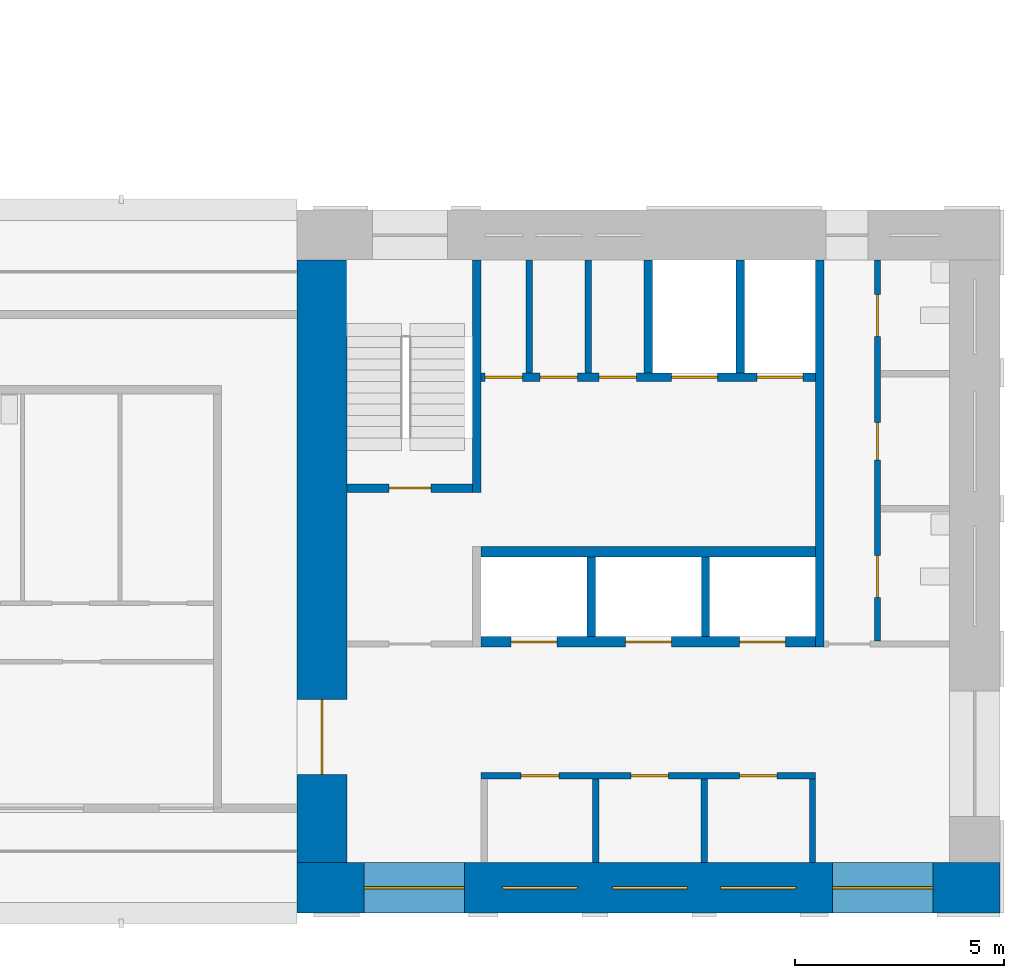
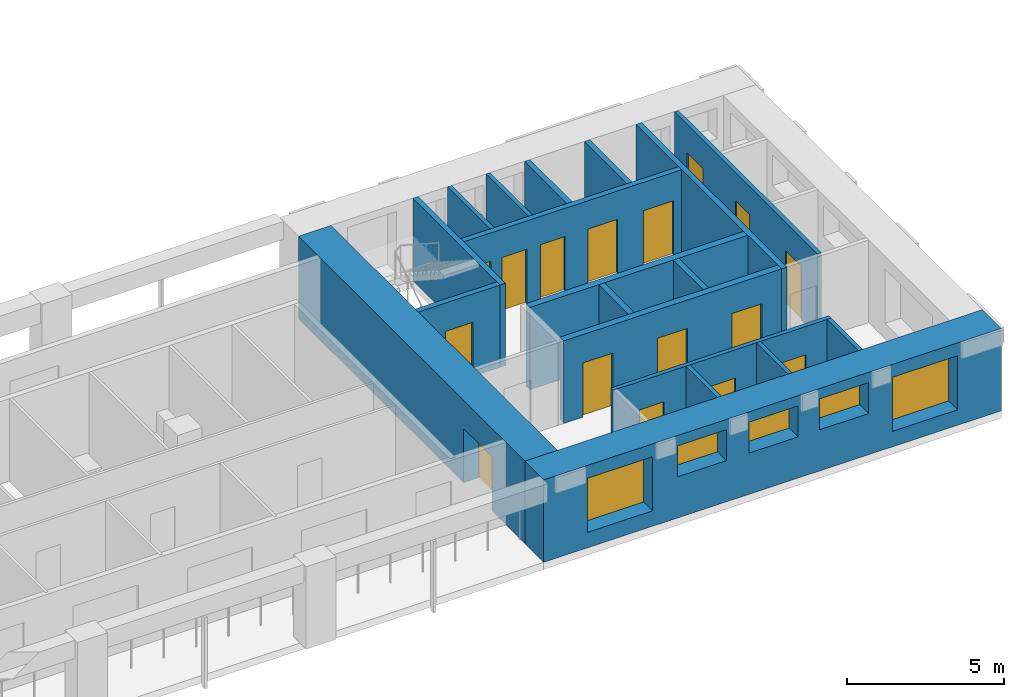
# One storey, part 4 of 10: 19 walls, 16 doors, 5 windows, 21 openings.
"""IFC4 building model written with IfcOpenShell, lengths in metres."""

import ifcopenshell
import ifcopenshell.guid

model = None  # the IFC model being written
_history = None  # IfcOwnerHistory: only IFC2X3 demands one
_inside = {}  # id of a spatial element -> (the spatial element, [elements in it])
_under = {}  # id of a project, library or spatial element -> (it, [spatial elements below it])
_declared = {}  # id of a project -> (the project, [libraries it declares])
_typed = {}  # id of a type object -> (the type object, [elements of that type])
_made_of = {}  # id of a material, layer set ... -> (it, [elements and type objects made of it])


def new_model(schema):
    """Start an empty IFC model of exactly this schema.

    Asked for "IFC4X3", IfcOpenShell would pick the latest addendum, in which some entities
    have other attributes; the version numbers below select the first issue.
    IFC2X3 requires an IfcOwnerHistory on every rooted entity: one is made here for all.
    """
    global model, _history
    if schema == "IFC4X3":
        model = ifcopenshell.file(schema_version=(4, 3, 0, 0))
    else:
        model = ifcopenshell.file(schema=schema)
    _inside.clear()
    _under.clear()
    _declared.clear()
    _typed.clear()
    _made_of.clear()
    _history = None
    if model.schema == "IFC2X3":
        org = make("IfcOrganization", Name="unknown")
        user = make(
            "IfcPersonAndOrganization",
            ThePerson=make("IfcPerson", FamilyName="unknown"),
            TheOrganization=org,
        )
        app = make(
            "IfcApplication",
            ApplicationDeveloper=org,
            Version="unknown",
            ApplicationFullName="unknown",
            ApplicationIdentifier="unknown",
        )
        _history = make(
            "IfcOwnerHistory",
            OwningUser=user,
            OwningApplication=app,
            ChangeAction="ADDED",
            CreationDate=0,
        )
    return model


def make(cls, **values):
    """One entity of the class cls with the attributes given. An attribute that is None is left unset."""
    return model.create_entity(
        cls, **{name: value for name, value in values.items() if value is not None}
    )


def rooted(cls, **values):
    """An entity with a GlobalId (a new one), such as an element, a storey or a relation."""
    return make(cls, GlobalId=ifcopenshell.guid.new(), OwnerHistory=_history, **values)


def si_unit(unit_type, name, prefix=None):
    """IfcSIUnit, for example si_unit("LENGTHUNIT", "METRE", prefix="MILLI")."""
    return make("IfcSIUnit", UnitType=unit_type, Prefix=prefix, Name=name)


def assignment(units):
    """IfcUnitAssignment: the units of a project."""
    return None if units is None else make("IfcUnitAssignment", Units=units)


def point(xyz):
    """IfcCartesianPoint."""
    return None if xyz is None else make("IfcCartesianPoint", Coordinates=xyz)


def direction(xyz):
    """IfcDirection."""
    return None if xyz is None else make("IfcDirection", DirectionRatios=xyz)


def frame(location, z_axis=None, x_axis=None):
    """IfcAxis2Placement3D, a coordinate frame: its origin and axes. An axis left out is left unset."""
    return make(
        "IfcAxis2Placement3D",
        Location=point(location),
        Axis=direction(z_axis),
        RefDirection=direction(x_axis),
    )


def frame_2d(location, x_axis=None):
    """IfcAxis2Placement2D, a coordinate frame in the plane: its origin and x axis."""
    return make(
        "IfcAxis2Placement2D", Location=point(location), RefDirection=direction(x_axis)
    )


def origin():
    """The frame at (0, 0, 0) with its axes left unset."""
    return frame((0.0, 0.0, 0.0))


def place(relative_to, where):
    """IfcLocalPlacement: puts the frame where relative to a parent placement (None: the world)."""
    return make(
        "IfcLocalPlacement", PlacementRelTo=relative_to, RelativePlacement=where
    )


def context(
    kind, dimensions, precision=None, world=None, true_north=None, identifier=None
):
    """IfcGeometricRepresentationContext, for example the 3D "Model" context."""
    return make(
        "IfcGeometricRepresentationContext",
        ContextIdentifier=identifier,
        ContextType=kind,
        CoordinateSpaceDimension=dimensions,
        Precision=precision,
        WorldCoordinateSystem=world,
        TrueNorth=true_north,
    )


def subcontext(parent, identifier, kind, view, scale=None):
    """IfcGeometricRepresentationSubContext, for example "Body" below "Model"."""
    return make(
        "IfcGeometricRepresentationSubContext",
        ContextIdentifier=identifier,
        ContextType=kind,
        ParentContext=parent,
        TargetScale=scale,
        TargetView=view,
    )


def project(units=None, contexts=None):
    """IfcProject with its units and contexts."""
    return rooted(
        "IfcProject",
        Name="project",
        RepresentationContexts=contexts,
        UnitsInContext=assignment(units),
    )


def spatial(cls, under=None, at=None, **own):
    """A site, building, storey or space (cls), placed at a placement, below another one or the project."""
    s = rooted(cls, ObjectPlacement=at, **own)
    if under is not None:
        _under.setdefault(under.id(), (under, []))[1].append(s)
    return s


def profile(cls, at=None, kind="AREA", **sizes):
    """A parametric profile (cls). Its sizes go by their IFC names, for example OverallWidth=200.0."""
    return make(cls, ProfileType=kind, Position=at, **sizes)


def rectangle(**sizes):
    """IfcRectangleProfileDef."""
    return profile("IfcRectangleProfileDef", **sizes)


def extrude(swept, where, along, depth):
    """IfcExtrudedAreaSolid: the profile swept, set in the frame where, extruded along a direction by depth."""
    return make(
        "IfcExtrudedAreaSolid",
        SweptArea=swept,
        Position=where,
        ExtrudedDirection=direction(along),
        Depth=depth,
    )


def shape(context_of_items, identifier, shape_type, items):
    """IfcShapeRepresentation: the items that make up one representation, for example the "Body"."""
    return make(
        "IfcShapeRepresentation",
        ContextOfItems=context_of_items,
        RepresentationIdentifier=identifier,
        RepresentationType=shape_type,
        Items=items,
    )


def material(Name=None, Category=None):
    """IfcMaterial."""
    return make("IfcMaterial", Name=Name, Category=Category)


def layer(
    of_material, thickness, ventilated=None, Name=None, Category=None, Priority=None
):
    """IfcMaterialLayer: one layer of a wall or slab, of a material (None: an air gap)."""
    return make(
        "IfcMaterialLayer",
        Material=of_material,
        LayerThickness=thickness,
        IsVentilated=ventilated,
        Name=Name,
        Category=Category,
        Priority=Priority,
    )


def layer_set(layers, Name=None):
    """IfcMaterialLayerSet."""
    return make("IfcMaterialLayerSet", MaterialLayers=layers, LayerSetName=Name)


def made_of(thing, what):
    """Note that an element or type object is made of a material, layer set ...; save() writes the relation."""
    if what is not None:
        _made_of.setdefault(what.id(), (what, []))[1].append(thing)
    return thing


def type_object(cls, material=None, **own):
    """A type object (cls), such as IfcWallType, which elements share."""
    return made_of(rooted(cls, **own), material)


def element(
    cls,
    number,
    at=None,
    inside=None,
    cuts=None,
    type_object=None,
    material=None,
    context=None,
    identifier="Body",
    shape_type=None,
    held_by="IfcProductDefinitionShape",
    body=None,
    shapes=None,
    **own,
):
    """One element of the class cls, such as IfcWall. Its Tag is "e" and its number.

    at: its placement. inside: the storey or other place that contains it. cuts: it is an
    opening in that element (IfcRelVoidsElement). A single representation is given by context,
    identifier, shape_type and body (its items); several are given by shapes. held_by: the class
    of the entity that holds the representations. save() writes the other relations.
    """
    e = rooted(cls, Tag="e%d" % number, ObjectPlacement=at, **own)
    if body is not None:
        shapes = [shape(context, identifier, shape_type, body)]
    if shapes is not None:
        e.Representation = make(held_by, Representations=shapes)
    if inside is not None:
        _inside.setdefault(inside.id(), (inside, []))[1].append(e)
    if cuts is not None:
        rooted(
            "IfcRelVoidsElement", RelatingBuildingElement=cuts, RelatedOpeningElement=e
        )
    if type_object is not None:
        _typed.setdefault(type_object.id(), (type_object, []))[1].append(e)
    return made_of(e, material)


def fill(opening, filler):
    """IfcRelFillsElement: the door or window that sits in an opening."""
    return rooted(
        "IfcRelFillsElement",
        RelatingOpeningElement=opening,
        RelatedBuildingElement=filler,
    )


def aggregate(whole, parts):
    """IfcRelAggregates: a whole, such as a stair, and the parts it consists of."""
    return rooted("IfcRelAggregates", RelatingObject=whole, RelatedObjects=parts)


def save(model, path):
    """Write the relations noted so far, then the file.

    IfcRelAggregates (storeys below a building ...), IfcRelContainedInSpatialStructure (elements
    in a storey), IfcRelDefinesByType, IfcRelAssociatesMaterial and IfcRelDeclares: one each for
    every whole, place, type object, material and project.
    """
    for whole, parts in _under.values():
        aggregate(whole, parts)
    for where, things in _inside.values():
        rooted(
            "IfcRelContainedInSpatialStructure",
            RelatedElements=things,
            RelatingStructure=where,
        )
    for kind, things in _typed.values():
        rooted("IfcRelDefinesByType", RelatedObjects=things, RelatingType=kind)
    for what, things in _made_of.values():
        rooted("IfcRelAssociatesMaterial", RelatedObjects=things, RelatingMaterial=what)
    for by, libraries in _declared.values():
        rooted("IfcRelDeclares", RelatingContext=by, RelatedDefinitions=libraries)
    model.write(path)


model = new_model("IFC4")

# Units and contexts
model_context = context("Model", 3, precision=1e-05, world=origin(), true_north=direction((0.0, 1.0)))
body_context = subcontext(model_context, "Body", "Model", "MODEL_VIEW")
ifc_project = project(units=[si_unit("LENGTHUNIT", "METRE"), si_unit("AREAUNIT", "SQUARE_METRE"), si_unit("VOLUMEUNIT", "CUBIC_METRE"), si_unit("PLANEANGLEUNIT", "RADIAN"), si_unit("MASSUNIT", "GRAM", prefix="KILO")], contexts=[model_context])

# Site, building, storey
site_placement = place(None, origin())
site = spatial("IfcSite", under=ifc_project, at=site_placement, CompositionType="ELEMENT")
building_placement = place(site_placement, origin())
building = spatial("IfcBuilding", under=site, at=building_placement, Name="Vermilion Gate Residences", CompositionType="ELEMENT")
storey_placement = place(building_placement, frame((0.0, 0.0, 273.699951171875)))
storey = spatial("IfcBuildingStorey", under=building, at=storey_placement, Name="L72", CompositionType="ELEMENT", Elevation=273.699951171875)

# Walls
ifc_material_1 = material(Name="Masonry blockwork", Category="masonry")
ifc_layer_1 = layer(ifc_material_1, 0.14990234375)
ifc_layer_set_1 = layer_set([ifc_layer_1], Name="BLOCKWORK PARTITION 150 EI 120")
wall_type_1 = type_object("IfcWallType", Name="BLOCKWORK PARTITION 150 EI 120", PredefinedType="PARTITIONING", material=ifc_layer_set_1)
for number, where, z_axis, x_axis, name in (
    (1, (54.324951171875, 9.60009765625, 0.0), (0.0, 0.0, 1.0), (0.0, 1.0, 0.0), "Core room partition A72-RW-E"),
    (2, (49.14111328125, 9.60009765625, 0.0), (0.0, 0.0, 1.0), (0.0, 1.0, 0.0), "Core room partition A72-SR-P0"),
    (3, (51.73291015625, 9.60009765625, 0.0), (0.0, 0.0, 1.0), (0.0, 1.0, 0.0), "Core room partition A72-SR-P1"),
):
    element("IfcWall", number, at=place(storey_placement, frame(where, z_axis=z_axis, x_axis=x_axis)), inside=storey, type_object=wall_type_1, Name=name, PredefinedType="PARTITIONING", context=body_context, shape_type="SweptSolid", body=[
        extrude(rectangle(XDim=2.0, YDim=0.14990234375, at=frame_2d((1.0, 0.0))), origin(), (0.0, 0.0, 1.0), 3.199951171875),
    ])

# Wall, openings, doors
wall_1_placement = place(storey_placement, frame((46.39990234375, 11.675048828125, 0.0), z_axis=(0.0, 0.0, 1.0), x_axis=(1.0, 0.0, 0.0)))
wall_1 = element("IfcWall", 4, at=wall_1_placement, inside=storey, type_object=wall_type_1, Name="Core room partition A72-LR-F", PredefinedType="PARTITIONING", context=body_context, shape_type="SweptSolid", body=[
    extrude(rectangle(XDim=8.0, YDim=0.14990234375, at=frame_2d((4.0, 0.0))), origin(), (0.0, 0.0, 1.0), 3.199951171875),
])
opening_1_placement = place(wall_1_placement, frame((0.9580078125, 0.0, 0.0)))
opening_1 = element("IfcOpeningElement", 5, at=opening_1_placement, cuts=wall_1, Name="Opening DK72002", PredefinedType="OPENING", context=body_context, shape_type="SweptSolid", body=[
    extrude(rectangle(XDim=0.89990234375, YDim=2.10009765625, at=frame_2d((0.449951171875, 1.050048828125))), frame((0.0, 0.0849609375, 0.0), z_axis=(0.0, -1.0, 0.0), x_axis=(1.0, 0.0, 0.0)), (0.0, 0.0, 1.0), 0.169921875),
])
opening_2_placement = place(wall_1_placement, frame((3.5869140625, 0.0, 0.0)))
opening_2 = element("IfcOpeningElement", 6, at=opening_2_placement, cuts=wall_1, Name="Opening DK72003", PredefinedType="OPENING", context=body_context, shape_type="SweptSolid", body=[
    extrude(rectangle(XDim=0.89990234375, YDim=2.10009765625, at=frame_2d((0.449951171875, 1.050048828125))), frame((0.0, 0.0849609375, 0.0), z_axis=(0.0, -1.0, 0.0), x_axis=(1.0, 0.0, 0.0)), (0.0, 0.0, 1.0), 0.169921875),
])
opening_3_placement = place(wall_1_placement, frame((6.178955078125, 0.0, 0.0)))
opening_3 = element("IfcOpeningElement", 7, at=opening_3_placement, cuts=wall_1, Name="Opening DK72004", PredefinedType="OPENING", context=body_context, shape_type="SweptSolid", body=[
    extrude(rectangle(XDim=0.89990234375, YDim=2.10009765625, at=frame_2d((0.449951171875, 1.050048828125))), frame((0.0, 0.0849609375, 0.0), z_axis=(0.0, -1.0, 0.0), x_axis=(1.0, 0.0, 0.0)), (0.0, 0.0, 1.0), 0.169921875),
])
ifc_material_2 = material(Name="Steel", Category="steel")
door_type_1 = type_object("IfcDoorType", Name="SERVICE ROOM DOOR FD60 900 X 2100", OperationType="SINGLE_SWING_LEFT", PredefinedType="DOOR", material=ifc_material_2)
door_1_placement = place(opening_1_placement, frame((0.89990234375, 0.0, 0.0), z_axis=(0.0, 0.0, 1.0), x_axis=(-1.0, 0.0, 0.0)))
door_1 = element("IfcDoor", 8, at=door_1_placement, inside=storey, type_object=door_type_1, Name="Mail room A72", OperationType="SINGLE_SWING_RIGHT", OverallHeight=2.10009765625, OverallWidth=0.89990234375, PredefinedType="DOOR", context=body_context, shape_type="SweptSolid", body=[
    extrude(rectangle(XDim=0.89990234375, YDim=2.10009765625, at=frame_2d((0.449951171875, 1.050048828125))), frame((0.0, 0.02490234375, 0.0), z_axis=(0.0, -1.0, 0.0), x_axis=(1.0, 0.0, 0.0)), (0.0, 0.0, 1.0), 0.050048828125),
])
fill(opening_1, door_1)
door_2_placement = place(opening_2_placement, frame((0.89990234375, 0.0, 0.0), z_axis=(0.0, 0.0, 1.0), x_axis=(-1.0, 0.0, 0.0)))
door_2 = element("IfcDoor", 9, at=door_2_placement, inside=storey, type_object=door_type_1, Name="Cleaner's store A72", OperationType="SINGLE_SWING_LEFT", OverallHeight=2.10009765625, OverallWidth=0.89990234375, PredefinedType="DOOR", context=body_context, shape_type="SweptSolid", body=[
    extrude(rectangle(XDim=0.89990234375, YDim=2.10009765625, at=frame_2d((0.449951171875, 1.050048828125))), frame((0.0, 0.02490234375, 0.0), z_axis=(0.0, -1.0, 0.0), x_axis=(1.0, 0.0, 0.0)), (0.0, 0.0, 1.0), 0.050048828125),
])
fill(opening_2, door_2)
door_3_placement = place(opening_3_placement, origin())
door_3 = element("IfcDoor", 10, at=door_3_placement, inside=storey, type_object=door_type_1, Name="Electrical room A72", OperationType="SINGLE_SWING_LEFT", OverallHeight=2.10009765625, OverallWidth=0.89990234375, PredefinedType="DOOR", context=body_context, shape_type="SweptSolid", body=[
    extrude(rectangle(XDim=0.89990234375, YDim=2.10009765625, at=frame_2d((0.449951171875, 1.050048828125))), frame((0.0, 0.02490234375, 0.0), z_axis=(0.0, -1.0, 0.0), x_axis=(1.0, 0.0, 0.0)), (0.0, 0.0, 1.0), 0.050048828125),
])
fill(opening_3, door_3)

# Walls
for number, where, z_axis, x_axis, name in (
    (11, (47.554931640625, 21.300048828125, 0.0), (0.0, 0.0, 1.0), (0.0, 1.0, 0.0), "Core room partition A72-NR-P0"),
    (12, (48.965087890625, 21.300048828125, 0.0), (0.0, 0.0, 1.0), (0.0, 1.0, 0.0), "Core room partition A72-NR-P1"),
):
    element("IfcWall", number, at=place(storey_placement, frame(where, z_axis=z_axis, x_axis=x_axis)), inside=storey, type_object=wall_type_1, Name=name, PredefinedType="PARTITIONING", context=body_context, shape_type="SweptSolid", body=[
        extrude(rectangle(XDim=2.699951171875, YDim=0.14990234375, at=frame_2d((1.35009765625, 0.0))), origin(), (0.0, 0.0, 1.0), 3.199951171875),
    ])

# Wall, openings, doors
wall_2_placement = place(storey_placement, frame((55.875, 14.89990234375, 0.0), z_axis=(0.0, 0.0, 1.0), x_axis=(0.0, 1.0, 0.0)))
wall_2 = element("IfcWall", 13, at=wall_2_placement, inside=storey, type_object=wall_type_1, Name="Core room partition A72-ES-W", PredefinedType="PARTITIONING", context=body_context, shape_type="SweptSolid", body=[
    extrude(rectangle(XDim=9.10009765625, YDim=0.14990234375, at=frame_2d((4.550048828125, 0.0))), origin(), (0.0, 0.0, 1.0), 3.199951171875),
])
opening_4_placement = place(wall_2_placement, frame((1.0400390625, 0.0, 0.0)))
opening_4 = element("IfcOpeningElement", 14, at=opening_4_placement, cuts=wall_2, Name="Opening DK72016", PredefinedType="OPENING", context=body_context, shape_type="SweptSolid", body=[
    extrude(rectangle(XDim=1.0, YDim=2.10009765625, at=frame_2d((0.5, 1.050048828125))), frame((0.0, 0.0849609375, 0.0), z_axis=(0.0, -1.0, 0.0), x_axis=(1.0, 0.0, 0.0)), (0.0, 0.0, 1.0), 0.169921875),
])
opening_5_placement = place(wall_2_placement, frame((4.320068359375, 0.0, 0.0)))
opening_5 = element("IfcOpeningElement", 15, at=opening_5_placement, cuts=wall_2, Name="Opening DK72017", PredefinedType="OPENING", context=body_context, shape_type="SweptSolid", body=[
    extrude(rectangle(XDim=0.89990234375, YDim=2.10009765625, at=frame_2d((0.449951171875, 1.050048828125))), frame((0.0, 0.0849609375, 0.0), z_axis=(0.0, -1.0, 0.0), x_axis=(1.0, 0.0, 0.0)), (0.0, 0.0, 1.0), 0.169921875),
])
opening_6_placement = place(wall_2_placement, frame((7.280029296875, 0.0, 0.0)))
opening_6 = element("IfcOpeningElement", 16, at=opening_6_placement, cuts=wall_2, Name="Opening DK72018", PredefinedType="OPENING", context=body_context, shape_type="SweptSolid", body=[
    extrude(rectangle(XDim=1.0, YDim=2.10009765625, at=frame_2d((0.5, 1.050048828125))), frame((0.0, 0.0849609375, 0.0), z_axis=(0.0, -1.0, 0.0), x_axis=(1.0, 0.0, 0.0)), (0.0, 0.0, 1.0), 0.169921875),
])
ifc_material_3 = material(Name="Steel", Category="steel")
door_type_2 = type_object("IfcDoorType", Name="FIRE DOOR FD60 1000 X 2100", OperationType="SINGLE_SWING_LEFT", PredefinedType="DOOR", material=ifc_material_3)
door_4_placement = place(opening_4_placement, frame((1.0, 0.0, 0.0), z_axis=(0.0, 0.0, 1.0), x_axis=(-1.0, 0.0, 0.0)))
door_4 = element("IfcDoor", 17, at=door_4_placement, inside=storey, type_object=door_type_2, Name="Accessible WC A72", OperationType="SINGLE_SWING_LEFT", OverallHeight=2.10009765625, OverallWidth=1.0, PredefinedType="DOOR", context=body_context, shape_type="SweptSolid", body=[
    extrude(rectangle(XDim=1.0, YDim=2.10009765625, at=frame_2d((0.5, 1.050048828125))), frame((0.0, 0.02490234375, 0.0), z_axis=(0.0, -1.0, 0.0), x_axis=(1.0, 0.0, 0.0)), (0.0, 0.0, 1.0), 0.050048828125),
])
fill(opening_4, door_4)
door_5_placement = place(opening_6_placement, frame((1.0, 0.0, 0.0), z_axis=(0.0, 0.0, 1.0), x_axis=(-1.0, 0.0, 0.0)))
door_5 = element("IfcDoor", 18, at=door_5_placement, inside=storey, type_object=door_type_2, Name="Accessible WC A72", OperationType="SINGLE_SWING_RIGHT", OverallHeight=2.10009765625, OverallWidth=1.0, PredefinedType="DOOR", context=body_context, shape_type="SweptSolid", body=[
    extrude(rectangle(XDim=1.0, YDim=2.10009765625, at=frame_2d((0.5, 1.050048828125))), frame((0.0, 0.02490234375, 0.0), z_axis=(0.0, -1.0, 0.0), x_axis=(1.0, 0.0, 0.0)), (0.0, 0.0, 1.0), 0.050048828125),
])
fill(opening_6, door_5)
door_6_placement = place(opening_5_placement, frame((0.89990234375, 0.0, 0.0), z_axis=(0.0, 0.0, 1.0), x_axis=(-1.0, 0.0, 0.0)))
door_6 = element("IfcDoor", 19, at=door_6_placement, inside=storey, type_object=door_type_1, Name="Communications room A72", OperationType="SINGLE_SWING_RIGHT", OverallHeight=2.10009765625, OverallWidth=0.89990234375, PredefinedType="DOOR", context=body_context, shape_type="SweptSolid", body=[
    extrude(rectangle(XDim=0.89990234375, YDim=2.10009765625, at=frame_2d((0.449951171875, 1.050048828125))), frame((0.0, 0.02490234375, 0.0), z_axis=(0.0, -1.0, 0.0), x_axis=(1.0, 0.0, 0.0)), (0.0, 0.0, 1.0), 0.050048828125),
])
fill(opening_5, door_6)

# Walls
ifc_material_4 = material(Name="Concrete C60", Category="concrete")
ifc_layer_2 = layer(ifc_material_4, 0.199951171875)
ifc_layer_set_2 = layer_set([ifc_layer_2], Name="RC CORE INTERNAL WALL 200 C60")
wall_type_2 = type_object("IfcWallType", Name="RC CORE INTERNAL WALL 200 C60", PredefinedType="SHEAR", material=ifc_layer_set_2)
for number, where, z_axis, x_axis, name in (
    (20, (49.033447265625, 15.0, 0.0), (0.0, 0.0, 1.0), (0.0, 1.0, 0.0), "Core internal wall A72-HR-D1"),
    (21, (51.7666015625, 15.0, 0.0), (0.0, 0.0, 1.0), (0.0, 1.0, 0.0), "Core internal wall A72-HR-D2"),
):
    element("IfcWall", number, at=place(storey_placement, frame(where, z_axis=z_axis, x_axis=x_axis)), inside=storey, type_object=wall_type_2, Name=name, PredefinedType="SHEAR", context=body_context, shape_type="SweptSolid", body=[
        extrude(rectangle(XDim=1.89990234375, YDim=0.199951171875, at=frame_2d((0.949951171875, 0.0))), origin(), (0.0, 0.0, 1.0), 3.199951171875),
    ])
for number, where, z_axis, x_axis, name in (
    (22, (50.39990234375, 21.300048828125, 0.0), (0.0, 0.0, 1.0), (0.0, 1.0, 0.0), "Core internal wall A72-FF-D0"),
    (23, (52.60009765625, 21.300048828125, 0.0), (0.0, 0.0, 1.0), (0.0, 1.0, 0.0), "Core internal wall A72-FF-D1"),
):
    element("IfcWall", number, at=place(storey_placement, frame(where, z_axis=z_axis, x_axis=x_axis)), inside=storey, type_object=wall_type_2, Name=name, PredefinedType="SHEAR", context=body_context, shape_type="SweptSolid", body=[
        extrude(rectangle(XDim=2.699951171875, YDim=0.199951171875, at=frame_2d((1.35009765625, 0.0))), origin(), (0.0, 0.0, 1.0), 3.199951171875),
    ])

# Wall, openings, doors
wall_3_placement = place(storey_placement, frame((46.39990234375, 21.199951171875, 0.0), z_axis=(0.0, 0.0, 1.0), x_axis=(1.0, 0.0, 0.0)))
wall_3 = element("IfcWall", 24, at=wall_3_placement, inside=storey, type_object=wall_type_2, Name="Core internal wall A72-FF-F", PredefinedType="SHEAR", context=body_context, shape_type="SweptSolid", body=[
    extrude(rectangle(XDim=8.0, YDim=0.199951171875, at=frame_2d((4.0, 0.0))), origin(), (0.0, 0.0, 1.0), 3.199951171875),
])
opening_7_placement = place(wall_3_placement, frame((0.090087890625, 0.0, 0.0)))
opening_7 = element("IfcOpeningElement", 25, at=opening_7_placement, cuts=wall_3, Name="Opening DK72008", PredefinedType="OPENING", context=body_context, shape_type="SweptSolid", body=[
    extrude(rectangle(XDim=0.89990234375, YDim=2.10009765625, at=frame_2d((0.449951171875, 1.050048828125))), frame((0.0, 0.10986328125, 0.0), z_axis=(0.0, -1.0, 0.0), x_axis=(1.0, 0.0, 0.0)), (0.0, 0.0, 1.0), 0.219970703125),
])
opening_8_placement = place(wall_3_placement, frame((1.409912109375, 0.0, 0.0)))
opening_8 = element("IfcOpeningElement", 26, at=opening_8_placement, cuts=wall_3, Name="Opening DK72009", PredefinedType="OPENING", context=body_context, shape_type="SweptSolid", body=[
    extrude(rectangle(XDim=0.89990234375, YDim=2.10009765625, at=frame_2d((0.449951171875, 1.050048828125))), frame((0.0, 0.10986328125, 0.0), z_axis=(0.0, -1.0, 0.0), x_axis=(1.0, 0.0, 0.0)), (0.0, 0.0, 1.0), 0.219970703125),
])
opening_9_placement = place(wall_3_placement, frame((2.820068359375, 0.0, 0.0)))
opening_9 = element("IfcOpeningElement", 27, at=opening_9_placement, cuts=wall_3, Name="Opening DK72010", PredefinedType="OPENING", context=body_context, shape_type="SweptSolid", body=[
    extrude(rectangle(XDim=0.89990234375, YDim=2.10009765625, at=frame_2d((0.449951171875, 1.050048828125))), frame((0.0, 0.10986328125, 0.0), z_axis=(0.0, -1.0, 0.0), x_axis=(1.0, 0.0, 0.0)), (0.0, 0.0, 1.0), 0.219970703125),
])
opening_10_placement = place(wall_3_placement, frame((4.550048828125, 0.0, 0.0)))
opening_10 = element("IfcOpeningElement", 28, at=opening_10_placement, cuts=wall_3, Name="Opening LD", PredefinedType="OPENING", context=body_context, shape_type="SweptSolid", body=[
    extrude(rectangle(XDim=1.10009765625, YDim=2.10009765625, at=frame_2d((0.550048828125, 1.050048828125))), frame((0.0, 0.10986328125, 0.0), z_axis=(0.0, -1.0, 0.0), x_axis=(1.0, 0.0, 0.0)), (0.0, 0.0, 1.0), 0.219970703125),
])
opening_11_placement = place(wall_3_placement, frame((6.60009765625, 0.0, 0.0)))
opening_11 = element("IfcOpeningElement", 29, at=opening_11_placement, cuts=wall_3, Name="Opening LD", PredefinedType="OPENING", context=body_context, shape_type="SweptSolid", body=[
    extrude(rectangle(XDim=1.10009765625, YDim=2.10009765625, at=frame_2d((0.550048828125, 1.050048828125))), frame((0.0, 0.10986328125, 0.0), z_axis=(0.0, -1.0, 0.0), x_axis=(1.0, 0.0, 0.0)), (0.0, 0.0, 1.0), 0.219970703125),
])
ifc_material_5 = material(Name="Stainless steel", Category="steel")
door_type_3 = type_object("IfcDoorType", Name="LIFT LANDING DOOR E60 1100 X 2100", OperationType="DOUBLE_DOOR_SLIDING", PredefinedType="DOOR", material=ifc_material_5)
door_7_placement = place(opening_10_placement, origin())
door_7 = element("IfcDoor", 30, at=door_7_placement, inside=storey, type_object=door_type_3, Name="Lift landing door LFA1", OperationType="DOUBLE_DOOR_SLIDING", OverallHeight=2.10009765625, OverallWidth=1.10009765625, PredefinedType="DOOR", context=body_context, shape_type="SweptSolid", body=[
    extrude(rectangle(XDim=1.10009765625, YDim=2.10009765625, at=frame_2d((0.550048828125, 1.050048828125))), frame((0.0, 0.02490234375, 0.0), z_axis=(0.0, -1.0, 0.0), x_axis=(1.0, 0.0, 0.0)), (0.0, 0.0, 1.0), 0.050048828125),
])
fill(opening_10, door_7)
door_8_placement = place(opening_11_placement, origin())
door_8 = element("IfcDoor", 31, at=door_8_placement, inside=storey, type_object=door_type_3, Name="Lift landing door LCA1", OperationType="DOUBLE_DOOR_SLIDING", OverallHeight=2.10009765625, OverallWidth=1.10009765625, PredefinedType="DOOR", context=body_context, shape_type="SweptSolid", body=[
    extrude(rectangle(XDim=1.10009765625, YDim=2.10009765625, at=frame_2d((0.550048828125, 1.050048828125))), frame((0.0, 0.02490234375, 0.0), z_axis=(0.0, -1.0, 0.0), x_axis=(1.0, 0.0, 0.0)), (0.0, 0.0, 1.0), 0.050048828125),
])
fill(opening_11, door_8)
door_9_placement = place(opening_7_placement, origin())
door_9 = element("IfcDoor", 32, at=door_9_placement, inside=storey, type_object=door_type_1, Name="Housekeeping store A72", OperationType="SINGLE_SWING_RIGHT", OverallHeight=2.10009765625, OverallWidth=0.89990234375, PredefinedType="DOOR", context=body_context, shape_type="SweptSolid", body=[
    extrude(rectangle(XDim=0.89990234375, YDim=2.10009765625, at=frame_2d((0.449951171875, 1.050048828125))), frame((0.0, 0.02490234375, 0.0), z_axis=(0.0, -1.0, 0.0), x_axis=(1.0, 0.0, 0.0)), (0.0, 0.0, 1.0), 0.050048828125),
])
fill(opening_7, door_9)
door_10_placement = place(opening_8_placement, origin())
door_10 = element("IfcDoor", 33, at=door_10_placement, inside=storey, type_object=door_type_1, Name="Mail room A72", OperationType="SINGLE_SWING_LEFT", OverallHeight=2.10009765625, OverallWidth=0.89990234375, PredefinedType="DOOR", context=body_context, shape_type="SweptSolid", body=[
    extrude(rectangle(XDim=0.89990234375, YDim=2.10009765625, at=frame_2d((0.449951171875, 1.050048828125))), frame((0.0, 0.02490234375, 0.0), z_axis=(0.0, -1.0, 0.0), x_axis=(1.0, 0.0, 0.0)), (0.0, 0.0, 1.0), 0.050048828125),
])
fill(opening_8, door_10)
door_11_placement = place(opening_9_placement, origin())
door_11 = element("IfcDoor", 34, at=door_11_placement, inside=storey, type_object=door_type_1, Name="Electrical riser A72", OperationType="SINGLE_SWING_LEFT", OverallHeight=2.10009765625, OverallWidth=0.89990234375, PredefinedType="DOOR", context=body_context, shape_type="SweptSolid", body=[
    extrude(rectangle(XDim=0.89990234375, YDim=2.10009765625, at=frame_2d((0.449951171875, 1.050048828125))), frame((0.0, 0.02490234375, 0.0), z_axis=(0.0, -1.0, 0.0), x_axis=(1.0, 0.0, 0.0)), (0.0, 0.0, 1.0), 0.050048828125),
])
fill(opening_9, door_11)

# Wall
wall_4_placement = place(storey_placement, frame((46.300048828125, 18.449951171875, 0.0), z_axis=(0.0, 0.0, 1.0), x_axis=(0.0, 1.0, 0.0)))
element("IfcWall", 35, at=wall_4_placement, inside=storey, type_object=wall_type_2, Name="Core internal wall A72-WDIV2", PredefinedType="SHEAR", context=body_context, shape_type="SweptSolid", body=[
    extrude(rectangle(XDim=5.550048828125, YDim=0.199951171875, at=frame_2d((2.77490234375, 0.0))), origin(), (0.0, 0.0, 1.0), 3.199951171875),
])

# Wall, opening, door
wall_5_placement = place(storey_placement, frame((43.199951171875, 18.550048828125, 0.0), z_axis=(0.0, 0.0, 1.0), x_axis=(1.0, 0.0, 0.0)))
wall_5 = element("IfcWall", 36, at=wall_5_placement, inside=storey, type_object=wall_type_2, Name="Core internal wall A72-STW-S", PredefinedType="SHEAR", context=body_context, shape_type="SweptSolid", body=[
    extrude(rectangle(XDim=3.0, YDim=0.199951171875, at=frame_2d((1.5, 0.0))), origin(), (0.0, 0.0, 1.0), 3.199951171875),
])
opening_12_placement = place(wall_5_placement, frame((1.0, 0.0, 0.0)))
opening_12 = element("IfcOpeningElement", 37, at=opening_12_placement, cuts=wall_5, Name="Opening DK72014", PredefinedType="OPENING", context=body_context, shape_type="SweptSolid", body=[
    extrude(rectangle(XDim=1.0, YDim=2.10009765625, at=frame_2d((0.5, 1.050048828125))), frame((0.0, 0.10986328125, 0.0), z_axis=(0.0, -1.0, 0.0), x_axis=(1.0, 0.0, 0.0)), (0.0, 0.0, 1.0), 0.219970703125),
])
door_12_placement = place(opening_12_placement, origin())
door_12 = element("IfcDoor", 38, at=door_12_placement, inside=storey, type_object=door_type_2, Name="Stair door A72", OperationType="SINGLE_SWING_LEFT", OverallHeight=2.10009765625, OverallWidth=1.0, PredefinedType="DOOR", context=body_context, shape_type="SweptSolid", body=[
    extrude(rectangle(XDim=1.0, YDim=2.10009765625, at=frame_2d((0.5, 1.050048828125))), frame((0.0, 0.02490234375, 0.0), z_axis=(0.0, -1.0, 0.0), x_axis=(1.0, 0.0, 0.0)), (0.0, 0.0, 1.0), 0.050048828125),
])
fill(opening_12, door_12)

# Wall
wall_6_placement = place(storey_placement, frame((54.5, 14.75, 0.0), z_axis=(0.0, 0.0, 1.0), x_axis=(0.0, 1.0, 0.0)))
element("IfcWall", 39, at=wall_6_placement, inside=storey, type_object=wall_type_2, Name="Core internal wall A72-EDIV", PredefinedType="SHEAR", context=body_context, shape_type="SweptSolid", body=[
    extrude(rectangle(XDim=9.25, YDim=0.199951171875, at=frame_2d((4.625, 0.0))), origin(), (0.0, 0.0, 1.0), 3.199951171875),
])

# Wall, opening, door
ifc_material_6 = material(Name="Concrete C50", Category="concrete")
ifc_layer_3 = layer(ifc_material_6, 1.199951171875)
ifc_layer_set_3 = layer_set([ifc_layer_3], Name="RC CORE WALL 1200 C50")
wall_type_3 = type_object("IfcWallType", Name="RC CORE WALL 1200 C50", PredefinedType="SHEAR", material=ifc_layer_set_3)
wall_7_placement = place(storey_placement, frame((42.60009765625, 9.60009765625, 0.0), z_axis=(0.0, 0.0, 1.0), x_axis=(0.0, 1.0, 0.0)))
wall_7 = element("IfcWall", 40, at=wall_7_placement, inside=storey, type_object=wall_type_3, Name="Core wall A72-OUT-FR", PredefinedType="SHEAR", context=body_context, shape_type="SweptSolid", body=[
    extrude(rectangle(XDim=14.39990234375, YDim=1.199951171875, at=frame_2d((7.199951171875, 0.0))), origin(), (0.0, 0.0, 1.0), 3.199951171875),
])
opening_13_placement = place(wall_7_placement, frame((2.10009765625, 0.0, 0.0)))
opening_13 = element("IfcOpeningElement", 41, at=opening_13_placement, cuts=wall_7, Name="Opening DK72001", PredefinedType="OPENING", context=body_context, shape_type="SweptSolid", body=[
    extrude(rectangle(XDim=1.800048828125, YDim=2.10009765625, at=frame_2d((0.89990234375, 1.050048828125))), frame((0.0, 0.60986328125, 0.0), z_axis=(0.0, -1.0, 0.0), x_axis=(1.0, 0.0, 0.0)), (0.0, 0.0, 1.0), 1.219970703125),
])
ifc_material_7 = material(Name="Steel", Category="steel")
door_type_4 = type_object("IfcDoorType", Name="CORE LOBBY DOOR FD60 1800 X 2100", OperationType="DOUBLE_DOOR_SINGLE_SWING", PredefinedType="DOOR", material=ifc_material_7)
door_13_placement = place(opening_13_placement, frame((1.800048828125, 0.0, 0.0), z_axis=(0.0, 0.0, 1.0), x_axis=(-1.0, 0.0, 0.0)))
door_13 = element("IfcDoor", 42, at=door_13_placement, inside=storey, type_object=door_type_4, Name="Core lobby door A72", OperationType="DOUBLE_DOOR_SINGLE_SWING", OverallHeight=2.10009765625, OverallWidth=1.800048828125, PredefinedType="DOOR", context=body_context, shape_type="SweptSolid", body=[
    extrude(rectangle(XDim=1.800048828125, YDim=2.10009765625, at=frame_2d((0.89990234375, 1.050048828125))), frame((0.0, 0.02490234375, 0.0), z_axis=(0.0, -1.0, 0.0), x_axis=(1.0, 0.0, 0.0)), (0.0, 0.0, 1.0), 0.050048828125),
])
fill(opening_13, door_13)

# Wall, openings, windows
ifc_material_8 = material(Name="Concrete C50 red-oxide pigmented", Category="concrete")
ifc_layer_4 = layer(ifc_material_8, 1.199951171875)
ifc_layer_set_4 = layer_set([ifc_layer_4], Name="RC CORE WALL 1200 C50 RED OXIDE")
wall_type_4 = type_object("IfcWallType", Name="RC CORE WALL 1200 C50 RED OXIDE", PredefinedType="SHEAR", material=ifc_layer_set_4)
wall_8_placement = place(storey_placement, frame((42.0, 9.0, 0.0), z_axis=(0.0, 0.0, 1.0), x_axis=(1.0, 0.0, 0.0)))
wall_8 = element("IfcWall", 43, at=wall_8_placement, inside=storey, type_object=wall_type_4, Name="Core wall A72-OUT-B0", PredefinedType="SHEAR", context=body_context, shape_type="SweptSolid", body=[
    extrude(rectangle(XDim=16.800048828125, YDim=1.199951171875, at=frame_2d((8.39990234375, 0.0))), origin(), (0.0, 0.0, 1.0), 3.199951171875),
])
opening_14_placement = place(wall_8_placement, frame((1.60009765625, 0.0, 0.60009765625)))
opening_14 = element("IfcOpeningElement", 44, at=opening_14_placement, cuts=wall_8, Name="Opening WKA7201", PredefinedType="OPENING", context=body_context, shape_type="SweptSolid", body=[
    extrude(rectangle(XDim=2.39990234375, YDim=2.10009765625, at=frame_2d((1.199951171875, 1.050048828125))), frame((0.0, 0.60986328125, 0.0), z_axis=(0.0, -1.0, 0.0), x_axis=(1.0, 0.0, 0.0)), (0.0, 0.0, 1.0), 1.219970703125),
])
opening_15_placement = place(wall_8_placement, frame((4.907958984375, 0.0, 1.60009765625)))
opening_15 = element("IfcOpeningElement", 45, at=opening_15_placement, cuts=wall_8, Name="Opening WKA7202", PredefinedType="OPENING", context=body_context, shape_type="SweptSolid", body=[
    extrude(rectangle(XDim=1.800048828125, YDim=1.199951171875, at=frame_2d((0.89990234375, 0.60009765625))), frame((0.0, 0.60986328125, 0.0), z_axis=(0.0, -1.0, 0.0), x_axis=(1.0, 0.0, 0.0)), (0.0, 0.0, 1.0), 1.219970703125),
])
opening_16_placement = place(wall_8_placement, frame((7.537109375, 0.0, 1.60009765625)))
opening_16 = element("IfcOpeningElement", 46, at=opening_16_placement, cuts=wall_8, Name="Opening WKA7203", PredefinedType="OPENING", context=body_context, shape_type="SweptSolid", body=[
    extrude(rectangle(XDim=1.800048828125, YDim=1.199951171875, at=frame_2d((0.89990234375, 0.60009765625))), frame((0.0, 0.60986328125, 0.0), z_axis=(0.0, -1.0, 0.0), x_axis=(1.0, 0.0, 0.0)), (0.0, 0.0, 1.0), 1.219970703125),
])
opening_17_placement = place(wall_8_placement, frame((10.12890625, 0.0, 1.60009765625)))
opening_17 = element("IfcOpeningElement", 47, at=opening_17_placement, cuts=wall_8, Name="Opening WKA7204", PredefinedType="OPENING", context=body_context, shape_type="SweptSolid", body=[
    extrude(rectangle(XDim=1.800048828125, YDim=1.199951171875, at=frame_2d((0.89990234375, 0.60009765625))), frame((0.0, 0.60986328125, 0.0), z_axis=(0.0, -1.0, 0.0), x_axis=(1.0, 0.0, 0.0)), (0.0, 0.0, 1.0), 1.219970703125),
])
opening_18_placement = place(wall_8_placement, frame((12.800048828125, 0.0, 0.60009765625)))
opening_18 = element("IfcOpeningElement", 48, at=opening_18_placement, cuts=wall_8, Name="Opening WKA7205", PredefinedType="OPENING", context=body_context, shape_type="SweptSolid", body=[
    extrude(rectangle(XDim=2.39990234375, YDim=2.10009765625, at=frame_2d((1.199951171875, 1.050048828125))), frame((0.0, 0.60986328125, 0.0), z_axis=(0.0, -1.0, 0.0), x_axis=(1.0, 0.0, 0.0)), (0.0, 0.0, 1.0), 1.219970703125),
])
ifc_material_9 = material(Name="Aluminium and clear glass", Category="aluminium")
window_type_1 = type_object("IfcWindowType", Name="CORE LOBBY WINDOW 2400 X 2100", PartitioningType="SINGLE_PANEL", PredefinedType="WINDOW", material=ifc_material_9)
window_1_placement = place(opening_14_placement, origin())
window_1 = element("IfcWindow", 49, at=window_1_placement, inside=storey, type_object=window_type_1, Name="Core lobby window", OverallHeight=2.10009765625, OverallWidth=2.39990234375, PartitioningType="SINGLE_PANEL", PredefinedType="WINDOW", context=body_context, shape_type="SweptSolid", body=[
    extrude(rectangle(XDim=2.39990234375, YDim=2.10009765625, at=frame_2d((1.199951171875, 1.050048828125))), frame((0.0, 0.030029296875, 0.0), z_axis=(0.0, -1.0, 0.0), x_axis=(1.0, 0.0, 0.0)), (0.0, 0.0, 1.0), 0.06005859375),
])
fill(opening_14, window_1)
window_2_placement = place(opening_18_placement, origin())
window_2 = element("IfcWindow", 50, at=window_2_placement, inside=storey, type_object=window_type_1, Name="Core lobby window", OverallHeight=2.10009765625, OverallWidth=2.39990234375, PartitioningType="SINGLE_PANEL", PredefinedType="WINDOW", context=body_context, shape_type="SweptSolid", body=[
    extrude(rectangle(XDim=2.39990234375, YDim=2.10009765625, at=frame_2d((1.199951171875, 1.050048828125))), frame((0.0, 0.030029296875, 0.0), z_axis=(0.0, -1.0, 0.0), x_axis=(1.0, 0.0, 0.0)), (0.0, 0.0, 1.0), 0.06005859375),
])
fill(opening_18, window_2)
ifc_material_10 = material(Name="Aluminium frame with louvre blades", Category="aluminium")
window_type_2 = type_object("IfcWindowType", Name="CORE LOUVRE 1800 X 1200", PartitioningType="SINGLE_PANEL", PredefinedType="WINDOW", material=ifc_material_10)
window_3_placement = place(opening_15_placement, origin())
window_3 = element("IfcWindow", 51, at=window_3_placement, inside=storey, type_object=window_type_2, Name="Core louvre", OverallHeight=1.199951171875, OverallWidth=1.800048828125, PartitioningType="SINGLE_PANEL", PredefinedType="WINDOW", context=body_context, shape_type="SweptSolid", body=[
    extrude(rectangle(XDim=1.800048828125, YDim=1.199951171875, at=frame_2d((0.89990234375, 0.60009765625))), frame((0.0, 0.030029296875, 0.0), z_axis=(0.0, -1.0, 0.0), x_axis=(1.0, 0.0, 0.0)), (0.0, 0.0, 1.0), 0.06005859375),
])
fill(opening_15, window_3)
window_4_placement = place(opening_16_placement, origin())
window_4 = element("IfcWindow", 52, at=window_4_placement, inside=storey, type_object=window_type_2, Name="Core louvre", OverallHeight=1.199951171875, OverallWidth=1.800048828125, PartitioningType="SINGLE_PANEL", PredefinedType="WINDOW", context=body_context, shape_type="SweptSolid", body=[
    extrude(rectangle(XDim=1.800048828125, YDim=1.199951171875, at=frame_2d((0.89990234375, 0.60009765625))), frame((0.0, 0.030029296875, 0.0), z_axis=(0.0, -1.0, 0.0), x_axis=(1.0, 0.0, 0.0)), (0.0, 0.0, 1.0), 0.06005859375),
])
fill(opening_16, window_4)
window_5_placement = place(opening_17_placement, origin())
window_5 = element("IfcWindow", 53, at=window_5_placement, inside=storey, type_object=window_type_2, Name="Core louvre", OverallHeight=1.199951171875, OverallWidth=1.800048828125, PartitioningType="SINGLE_PANEL", PredefinedType="WINDOW", context=body_context, shape_type="SweptSolid", body=[
    extrude(rectangle(XDim=1.800048828125, YDim=1.199951171875, at=frame_2d((0.89990234375, 0.60009765625))), frame((0.0, 0.030029296875, 0.0), z_axis=(0.0, -1.0, 0.0), x_axis=(1.0, 0.0, 0.0)), (0.0, 0.0, 1.0), 0.06005859375),
])
fill(opening_17, window_5)

# Wall, openings, doors
ifc_material_11 = material(Name="Concrete C60", Category="concrete")
ifc_layer_5 = layer(ifc_material_11, 0.25)
ifc_layer_set_5 = layer_set([ifc_layer_5], Name="RC LIFT SHAFT WALL 250 C60")
wall_type_5 = type_object("IfcWallType", Name="RC LIFT SHAFT WALL 250 C60", PredefinedType="SHEAR", material=ifc_layer_set_5)
wall_9_placement = place(storey_placement, frame((46.39990234375, 14.875, 0.0), z_axis=(0.0, 0.0, 1.0), x_axis=(1.0, 0.0, 0.0)))
wall_9 = element("IfcWall", 54, at=wall_9_placement, inside=storey, type_object=wall_type_5, Name="Lift shaft wall A72-HR-F", PredefinedType="SHEAR", context=body_context, shape_type="SweptSolid", body=[
    extrude(rectangle(XDim=8.0, YDim=0.25, at=frame_2d((4.0, 0.0))), origin(), (0.0, 0.0, 1.0), 3.199951171875),
])
opening_19_placement = place(wall_9_placement, frame((0.716552734375, 0.0, 0.0)))
opening_19 = element("IfcOpeningElement", 55, at=opening_19_placement, cuts=wall_9, Name="Opening LD", PredefinedType="OPENING", context=body_context, shape_type="SweptSolid", body=[
    extrude(rectangle(XDim=1.10009765625, YDim=2.10009765625, at=frame_2d((0.550048828125, 1.050048828125))), frame((0.0, 0.135009765625, 0.0), z_axis=(0.0, -1.0, 0.0), x_axis=(1.0, 0.0, 0.0)), (0.0, 0.0, 1.0), 0.27001953125),
])
opening_20_placement = place(wall_9_placement, frame((3.449951171875, 0.0, 0.0)))
opening_20 = element("IfcOpeningElement", 56, at=opening_20_placement, cuts=wall_9, Name="Opening LD", PredefinedType="OPENING", context=body_context, shape_type="SweptSolid", body=[
    extrude(rectangle(XDim=1.10009765625, YDim=2.10009765625, at=frame_2d((0.550048828125, 1.050048828125))), frame((0.0, 0.135009765625, 0.0), z_axis=(0.0, -1.0, 0.0), x_axis=(1.0, 0.0, 0.0)), (0.0, 0.0, 1.0), 0.27001953125),
])
opening_21_placement = place(wall_9_placement, frame((6.183349609375, 0.0, 0.0)))
opening_21 = element("IfcOpeningElement", 57, at=opening_21_placement, cuts=wall_9, Name="Opening LD", PredefinedType="OPENING", context=body_context, shape_type="SweptSolid", body=[
    extrude(rectangle(XDim=1.10009765625, YDim=2.10009765625, at=frame_2d((0.550048828125, 1.050048828125))), frame((0.0, 0.135009765625, 0.0), z_axis=(0.0, -1.0, 0.0), x_axis=(1.0, 0.0, 0.0)), (0.0, 0.0, 1.0), 0.27001953125),
])
door_14_placement = place(opening_19_placement, origin())
door_14 = element("IfcDoor", 58, at=door_14_placement, inside=storey, type_object=door_type_3, Name="Lift landing door HRA1", OperationType="DOUBLE_DOOR_SLIDING", OverallHeight=2.10009765625, OverallWidth=1.10009765625, PredefinedType="DOOR", context=body_context, shape_type="SweptSolid", body=[
    extrude(rectangle(XDim=1.10009765625, YDim=2.10009765625, at=frame_2d((0.550048828125, 1.050048828125))), frame((0.0, 0.02490234375, 0.0), z_axis=(0.0, -1.0, 0.0), x_axis=(1.0, 0.0, 0.0)), (0.0, 0.0, 1.0), 0.050048828125),
])
fill(opening_19, door_14)
door_15_placement = place(opening_20_placement, origin())
door_15 = element("IfcDoor", 59, at=door_15_placement, inside=storey, type_object=door_type_3, Name="Lift landing door HRA2", OperationType="DOUBLE_DOOR_SLIDING", OverallHeight=2.10009765625, OverallWidth=1.10009765625, PredefinedType="DOOR", context=body_context, shape_type="SweptSolid", body=[
    extrude(rectangle(XDim=1.10009765625, YDim=2.10009765625, at=frame_2d((0.550048828125, 1.050048828125))), frame((0.0, 0.02490234375, 0.0), z_axis=(0.0, -1.0, 0.0), x_axis=(1.0, 0.0, 0.0)), (0.0, 0.0, 1.0), 0.050048828125),
])
fill(opening_20, door_15)
door_16_placement = place(opening_21_placement, origin())
door_16 = element("IfcDoor", 60, at=door_16_placement, inside=storey, type_object=door_type_3, Name="Lift landing door HRA3", OperationType="DOUBLE_DOOR_SLIDING", OverallHeight=2.10009765625, OverallWidth=1.10009765625, PredefinedType="DOOR", context=body_context, shape_type="SweptSolid", body=[
    extrude(rectangle(XDim=1.10009765625, YDim=2.10009765625, at=frame_2d((0.550048828125, 1.050048828125))), frame((0.0, 0.02490234375, 0.0), z_axis=(0.0, -1.0, 0.0), x_axis=(1.0, 0.0, 0.0)), (0.0, 0.0, 1.0), 0.050048828125),
])
fill(opening_21, door_16)

# Wall
wall_10_placement = place(storey_placement, frame((46.39990234375, 17.02490234375, 0.0), z_axis=(0.0, 0.0, 1.0), x_axis=(1.0, 0.0, 0.0)))
element("IfcWall", 61, at=wall_10_placement, inside=storey, type_object=wall_type_5, Name="Lift shaft wall A72-HR-B", PredefinedType="SHEAR", context=body_context, shape_type="SweptSolid", body=[
    extrude(rectangle(XDim=8.0, YDim=0.25, at=frame_2d((4.0, 0.0))), origin(), (0.0, 0.0, 1.0), 3.199951171875),
])

save(model, "model.ifc")
